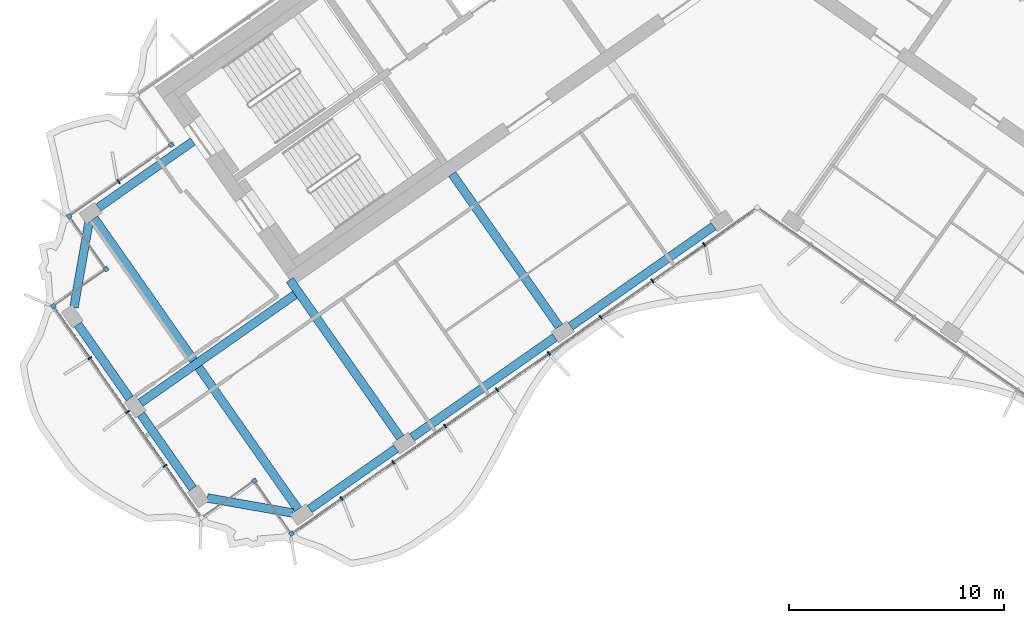
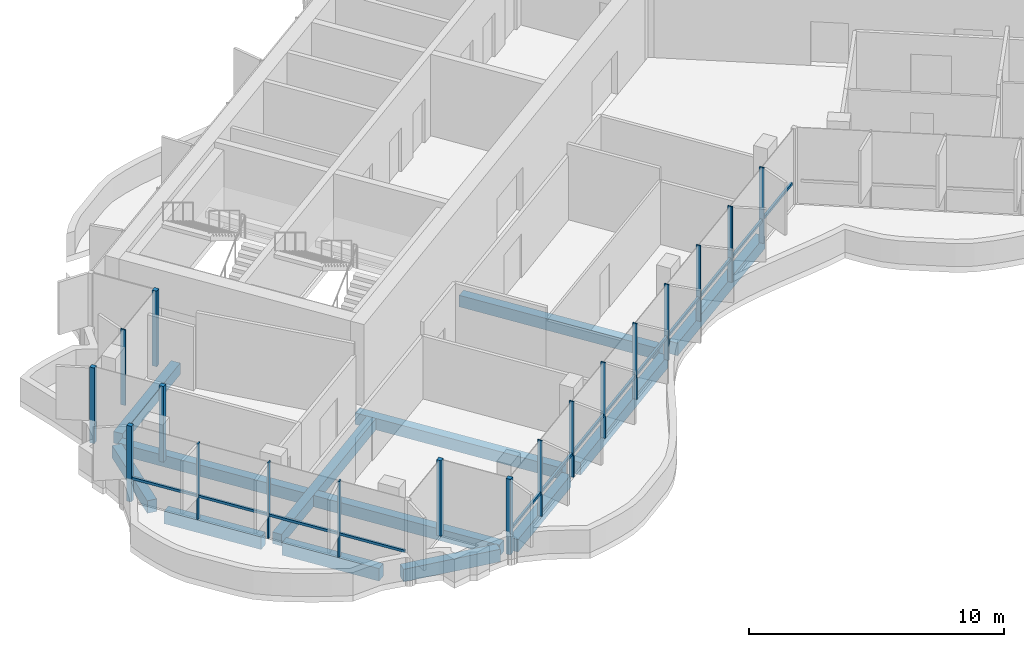
# One storey, part 2 of 20: 20 members, 12 beams, 2 elements without a shape of their own.
"""IFC4 building model written with IfcOpenShell, lengths in metres."""

from ifc_helpers import new_model, si_unit, direction, frame, origin, origin_2d, place, context, subcontext, project, spatial, rectangle, extrude, material, material_profile, profile_set, type_object, element, aggregate, save


model = new_model("IFC4")

# Units and contexts
model_context = context("Model", 3, precision=1e-05, world=origin(), true_north=direction((0.0, 1.0)))
body_context = subcontext(model_context, "Body", "Model", "MODEL_VIEW")
ifc_project = project(units=[si_unit("LENGTHUNIT", "METRE"), si_unit("AREAUNIT", "SQUARE_METRE"), si_unit("VOLUMEUNIT", "CUBIC_METRE"), si_unit("PLANEANGLEUNIT", "RADIAN"), si_unit("MASSUNIT", "GRAM", prefix="KILO")], contexts=[model_context])

# Site, building, storey
site_placement = place(None, origin())
site = spatial("IfcSite", under=ifc_project, at=site_placement, CompositionType="ELEMENT")
building_placement = place(site_placement, origin())
building = spatial("IfcBuilding", under=site, at=building_placement, Name="Tel Ilan Convention Tower", CompositionType="ELEMENT")
storey_placement = place(building_placement, frame((0.0, 0.0, 244.89990234375)))
storey = spatial("IfcBuildingStorey", under=building, at=storey_placement, Name="L57", CompositionType="ELEMENT", Elevation=244.89990234375)

# Beams
ifc_material_1 = material(Name="Concrete C40/50", Category="concrete")
ifc_material_profile_1 = material_profile(ifc_material_1, rectangle(XDim=0.39990234375, YDim=0.550048828125, at=origin_2d()), Name="RC 400x550")
ifc_profile_set_1 = profile_set([ifc_material_profile_1], Name="Concrete C40/50")
beam_type_1 = type_object("IfcBeamType", Name="Beam RC 400x550 Concrete C40/50", PredefinedType="BEAM", material=ifc_profile_set_1)
beam_1_placement = place(storey_placement, frame((-30.6005859375, -12.6982421875, -0.554931640625), z_axis=(0.819146154531, 0.573584847705, 0.0), x_axis=(-0.573584847705, 0.819146154531, 0.0)))
element("IfcBeam", 1, at=beam_1_placement, inside=storey, type_object=beam_type_1, Name="L57 beam W-W-BC-core", PredefinedType="BEAM", context=body_context, shape_type="SweptSolid", body=[
    extrude(rectangle(XDim=0.39990234375, YDim=0.550048828125, at=origin_2d()), origin(), (0.0, 0.0, 1.0), 5.349853515625),
])
beam_2_placement = place(storey_placement, frame((-9.209716796875, -18.229248046875, -0.554931640625), z_axis=(-0.573574099654, 0.819153680457, 0.0), x_axis=(-0.819153680457, -0.573574099654, 0.0)))
element("IfcBeam", 2, at=beam_2_placement, inside=storey, type_object=beam_type_1, Name="L57 beam W-W-F2-core", PredefinedType="BEAM", context=body_context, shape_type="SweptSolid", body=[
    extrude(rectangle(XDim=0.39990234375, YDim=0.550048828125, at=origin_2d()), origin(), (0.0, 0.0, 1.0), 8.64990234375),
])
beam_3_placement = place(storey_placement, frame((-16.58203125, -23.391357421875, -0.554931640625), z_axis=(-0.573584999642, 0.819146048141, 0.0), x_axis=(-0.819146048141, -0.573584999642, 0.0)))
element("IfcBeam", 3, at=beam_3_placement, inside=storey, type_object=beam_type_1, Name="L57 beam W-W-F3-core", PredefinedType="BEAM", context=body_context, shape_type="SweptSolid", body=[
    extrude(rectangle(XDim=0.39990234375, YDim=0.550048828125, at=origin_2d()), origin(), (0.0, 0.0, 1.0), 8.949951171875),
])
beam_4_placement = place(storey_placement, frame((-21.477783203125, -16.748046875, -0.554931640625), z_axis=(-0.819157197737, -0.573569076395, 0.0), x_axis=(0.573569076395, -0.819157197737, 0.0)))
element("IfcBeam", 4, at=beam_4_placement, inside=storey, type_object=beam_type_1, Name="L57 beam W-core-end", PredefinedType="BEAM", context=body_context, shape_type="SweptSolid", body=[
    extrude(rectangle(XDim=0.39990234375, YDim=0.550048828125, at=origin_2d()), origin(), (0.0, 0.0, 1.0), 8.75),
])
beam_5_placement = place(storey_placement, frame((-21.333251953125, -26.718017578125, -0.554931640625), z_axis=(-0.573574554643, 0.819153361872, 0.0), x_axis=(-0.819153361872, -0.573574554643, 0.0)))
element("IfcBeam", 5, at=beam_5_placement, inside=storey, type_object=beam_type_1, Name="L57 beam W-W-FC-W-BC", PredefinedType="BEAM", context=body_context, shape_type="SweptSolid", body=[
    extrude(rectangle(XDim=0.39990234375, YDim=0.550048828125, at=origin_2d()), origin(), (0.0, 0.0, 1.0), 16.499755859375),
])
ifc_material_2 = material(Name="Concrete C40/50", Category="concrete")
ifc_material_profile_2 = material_profile(ifc_material_2, rectangle(XDim=0.39990234375, YDim=0.60009765625, at=origin_2d()), Name="RC 400x600")
ifc_profile_set_2 = profile_set([ifc_material_profile_2], Name="Concrete C40/50")
beam_type_2 = type_object("IfcBeamType", Name="Beam RC 400x600 Concrete C40/50", PredefinedType="BEAM", material=ifc_profile_set_2)
beam_6_placement = place(storey_placement, frame((-2.033935546875, -13.57080078125, -0.579833984375), z_axis=(-0.81914553362, -0.573585734437, 0.0), x_axis=(0.573585734437, -0.81914553362, 0.0)))
element("IfcBeam", 6, at=beam_6_placement, inside=storey, type_object=beam_type_2, Name="L57 beam W-W-F1-W-F2", PredefinedType="BEAM", context=body_context, shape_type="SweptSolid", body=[
    extrude(rectangle(XDim=0.39990234375, YDim=0.60009765625, at=origin_2d()), origin(), (0.0, 0.0, 1.0), 8.099853515625),
])
beam_7_placement = place(storey_placement, frame((-9.40625, -18.73291015625, -0.579833984375), z_axis=(-0.819155449703, -0.573571572885, 0.0), x_axis=(0.573571572885, -0.819155449703, 0.0)))
element("IfcBeam", 7, at=beam_7_placement, inside=storey, type_object=beam_type_2, Name="L57 beam W-W-F2-W-F3", PredefinedType="BEAM", context=body_context, shape_type="SweptSolid", body=[
    extrude(rectangle(XDim=0.39990234375, YDim=0.60009765625, at=origin_2d()), origin(), (0.0, 0.0, 1.0), 8.10009765625),
])
beam_8_placement = place(storey_placement, frame((-16.778564453125, -23.895263671875, -0.579833984375), z_axis=(-0.819154669329, -0.573572687386, 0.0), x_axis=(0.573572687386, -0.819154669329, 0.0)))
element("IfcBeam", 8, at=beam_8_placement, inside=storey, type_object=beam_type_2, Name="L57 beam W-W-F3-W-FC", PredefinedType="BEAM", context=body_context, shape_type="SweptSolid", body=[
    extrude(rectangle(XDim=0.39990234375, YDim=0.60009765625, at=origin_2d()), origin(), (0.0, 0.0, 1.0), 4.900146484375),
])
beam_9_placement = place(storey_placement, frame((-21.578857421875, -26.89013671875, -0.579833984375), z_axis=(-0.984804894423, 0.173664388751, 0.0), x_axis=(-0.173664388751, -0.984804894423, 0.0)))
element("IfcBeam", 9, at=beam_9_placement, inside=storey, type_object=beam_type_2, Name="L57 beam W-W-FC-W-E1", PredefinedType="BEAM", context=body_context, shape_type="SweptSolid", body=[
    extrude(rectangle(XDim=0.39990234375, YDim=0.60009765625, at=origin_2d()), origin(), (0.0, 0.0, 1.0), 4.030517578125),
])
for number, where, z_axis, x_axis, name in (
    (10, (-26.22412109375, -25.748046875, -0.579833984375), (-0.573563773994, 0.819160910421, 0.0), (-0.819160910421, -0.573563773994, 0.0), "L57 beam W-W-E1-W-E2"),
    (11, (-29.1494140625, -21.5703125, -0.579833984375), (-0.573563773994, 0.819160910421, 0.0), (-0.819160910421, -0.573563773994, 0.0), "L57 beam W-W-E2-W-E3"),
):
    element("IfcBeam", number, at=place(storey_placement, frame(where, z_axis=z_axis, x_axis=x_axis)), inside=storey, type_object=beam_type_2, Name=name, PredefinedType="BEAM", context=body_context, shape_type="SweptSolid", body=[
        extrude(rectangle(XDim=0.39990234375, YDim=0.60009765625, at=origin_2d()), origin(), (0.0, 0.0, 1.0), 4.199951171875),
    ])
beam_10_placement = place(storey_placement, frame((-31.742919921875, -17.343505859375, -0.579833984375), z_axis=(0.173664388751, 0.984804894423, 0.0), x_axis=(-0.984804894423, 0.173664388751, 0.0)))
element("IfcBeam", 12, at=beam_10_placement, inside=storey, type_object=beam_type_2, Name="L57 beam W-W-E3-W-BC", PredefinedType="BEAM", context=body_context, shape_type="SweptSolid", body=[
    extrude(rectangle(XDim=0.39990234375, YDim=0.60009765625, at=origin_2d()), origin(), (0.0, 0.0, 1.0), 4.030517578125),
])

# Curtain wall, member
ifc_material_3 = material(Name="Aluminium, bronze anodised", Category="aluminium")
curtain_wall_type_1 = type_object("IfcCurtainWallType", Name="CW2 STICK CURTAIN WALL, SPANDREL PANELS", PredefinedType="NOTDEFINED", material=ifc_material_3)
curtain_wall_1_placement = place(storey_placement, origin())
curtain_wall_1 = element("IfcCurtainWall", 13, at=curtain_wall_1_placement, inside=storey, type_object=curtain_wall_type_1, Name="Curtain wall CW2-44.01", PredefinedType="NOTDEFINED")
ifc_material_4 = material(Name="Aluminium, bronze anodised", Category="aluminium")
ifc_material_profile_3 = material_profile(ifc_material_4, rectangle(XDim=0.199951171875, YDim=0.199951171875, at=origin_2d()), Name="CW CORNER MULLION 200x200")
ifc_profile_set_3 = profile_set([ifc_material_profile_3], Name="Aluminium, bronze anodised")
member_type_1 = type_object("IfcMemberType", Name="CW CORNER MULLION 200x200", PredefinedType="MULLION", material=ifc_profile_set_3)
member_1_placement = place(storey_placement, frame((-27.213623046875, -9.77734375, 0.0), z_axis=(0.0, 0.0, 1.0), x_axis=(0.573576436351, -0.819152044289, 0.0)))
member_1 = element("IfcMember", 14, at=member_1_placement, type_object=member_type_1, Name="Corner mullion", PredefinedType="MULLION", context=body_context, shape_type="SweptSolid", body=[
    extrude(rectangle(XDim=0.199951171875, YDim=0.199951171875, at=origin_2d()), origin(), (0.0, 0.0, 1.0), 3.6201171875),
])
aggregate(curtain_wall_1, [member_1])

# Curtain wall, members
ifc_material_5 = material(Name="Aluminium, bronze anodised", Category="aluminium")
curtain_wall_type_2 = type_object("IfcCurtainWallType", Name="CW5 STICK CURTAIN WALL, UPPER OFFICE LOW-IRON TINTED GLASS", PredefinedType="NOTDEFINED", material=ifc_material_5)
curtain_wall_2_placement = place(storey_placement, origin())
curtain_wall_2 = element("IfcCurtainWall", 15, at=curtain_wall_2_placement, inside=storey, type_object=curtain_wall_type_2, Name="Curtain wall CW5-44.02", PredefinedType="NOTDEFINED")
member_2_placement = place(storey_placement, frame((-31.964599609375, -13.10400390625, 0.0), z_axis=(0.0, 0.0, 1.0), x_axis=(-0.819152044289, -0.573576436351, 0.0)))
member_2 = element("IfcMember", 16, at=member_2_placement, type_object=member_type_1, Name="Corner mullion", PredefinedType="MULLION", context=body_context, shape_type="SweptSolid", body=[
    extrude(rectangle(XDim=0.199951171875, YDim=0.199951171875, at=origin_2d()), origin(), (0.0, 0.0, 1.0), 3.6201171875),
])
member_3_placement = place(storey_placement, frame((-30.243896484375, -15.5615234375, 0.0), z_axis=(0.0, 0.0, 1.0), x_axis=(0.573576436351, -0.819152044289, 0.0)))
member_3 = element("IfcMember", 17, at=member_3_placement, type_object=member_type_1, Name="Corner mullion", PredefinedType="MULLION", context=body_context, shape_type="SweptSolid", body=[
    extrude(rectangle(XDim=0.199951171875, YDim=0.199951171875, at=origin_2d()), origin(), (0.0, 0.0, 1.0), 3.6201171875),
])
member_4_placement = place(storey_placement, frame((-32.701416015625, -17.2822265625, 0.0), z_axis=(0.0, 0.0, 1.0), x_axis=(-0.819152044289, -0.573576436351, 0.0)))
member_4 = element("IfcMember", 18, at=member_4_placement, type_object=member_type_1, Name="Corner mullion", PredefinedType="MULLION", context=body_context, shape_type="SweptSolid", body=[
    extrude(rectangle(XDim=0.199951171875, YDim=0.199951171875, at=origin_2d()), origin(), (0.0, 0.0, 1.0), 3.6201171875),
])
member_5_placement = place(storey_placement, frame((-23.36083984375, -25.391357421875, 0.0), z_axis=(0.0, 0.0, 1.0), x_axis=(0.819152044289, 0.573576436351, 0.0)))
member_5 = element("IfcMember", 19, at=member_5_placement, type_object=member_type_1, Name="Corner mullion", PredefinedType="MULLION", context=body_context, shape_type="SweptSolid", body=[
    extrude(rectangle(XDim=0.199951171875, YDim=0.199951171875, at=origin_2d()), origin(), (0.0, 0.0, 1.0), 3.6201171875),
])
member_6_placement = place(storey_placement, frame((-21.64013671875, -27.8486328125, 0.0), z_axis=(0.0, 0.0, 1.0), x_axis=(0.573576436351, -0.819152044289, 0.0)))
member_6 = element("IfcMember", 20, at=member_6_placement, type_object=member_type_1, Name="Corner mullion", PredefinedType="MULLION", context=body_context, shape_type="SweptSolid", body=[
    extrude(rectangle(XDim=0.199951171875, YDim=0.199951171875, at=origin_2d()), origin(), (0.0, 0.0, 1.0), 3.6201171875),
])
ifc_material_6 = material(Name="Aluminium, bronze anodised", Category="aluminium")
ifc_material_profile_4 = material_profile(ifc_material_6, rectangle(XDim=0.06005859375, YDim=0.199951171875, at=origin_2d()), Name="CW MULLION 60x200")
ifc_profile_set_4 = profile_set([ifc_material_profile_4], Name="Aluminium, bronze anodised")
member_type_2 = type_object("IfcMemberType", Name="CW MULLION 60x200", PredefinedType="MULLION", material=ifc_profile_set_4)
member_7_placement = place(storey_placement, frame((-29.6708984375, -11.498046875, 0.0), z_axis=(0.0, 0.0, 1.0), x_axis=(-0.819152044289, -0.573576436351, 0.0)))
member_7 = element("IfcMember", 21, at=member_7_placement, type_object=member_type_2, Name="Mullion", PredefinedType="MULLION", context=body_context, shape_type="SweptSolid", body=[
    extrude(rectangle(XDim=0.06005859375, YDim=0.199951171875, at=origin_2d()), origin(), (0.0, 0.0, 1.0), 3.6201171875),
])
member_8_placement = place(storey_placement, frame((-31.00927734375, -19.69873046875, 0.0), z_axis=(0.0, 0.0, 1.0), x_axis=(0.573576436351, -0.819152044289, 0.0)))
member_8 = element("IfcMember", 22, at=member_8_placement, type_object=member_type_2, Name="Mullion", PredefinedType="MULLION", context=body_context, shape_type="SweptSolid", body=[
    extrude(rectangle(XDim=0.06005859375, YDim=0.199951171875, at=origin_2d()), origin(), (0.0, 0.0, 1.0), 3.6201171875),
])
member_9_placement = place(storey_placement, frame((-29.259765625, -22.197021484375, 0.0), z_axis=(0.0, 0.0, 1.0), x_axis=(0.573576436351, -0.819152044289, 0.0)))
member_9 = element("IfcMember", 23, at=member_9_placement, type_object=member_type_2, Name="Mullion", PredefinedType="MULLION", context=body_context, shape_type="SweptSolid", body=[
    extrude(rectangle(XDim=0.06005859375, YDim=0.199951171875, at=origin_2d()), origin(), (0.0, 0.0, 1.0), 3.6201171875),
])
member_10_placement = place(storey_placement, frame((-27.510498046875, -24.695556640625, 0.0), z_axis=(0.0, 0.0, 1.0), x_axis=(0.573576436351, -0.819152044289, 0.0)))
member_10 = element("IfcMember", 24, at=member_10_placement, type_object=member_type_2, Name="Mullion", PredefinedType="MULLION", context=body_context, shape_type="SweptSolid", body=[
    extrude(rectangle(XDim=0.06005859375, YDim=0.199951171875, at=origin_2d()), origin(), (0.0, 0.0, 1.0), 3.6201171875),
])
member_11_placement = place(storey_placement, frame((-19.31494140625, -26.220458984375, 0.0), z_axis=(0.0, 0.0, 1.0), x_axis=(0.819152044289, 0.573576436351, 0.0)))
member_11 = element("IfcMember", 25, at=member_11_placement, type_object=member_type_2, Name="Mullion", PredefinedType="MULLION", context=body_context, shape_type="SweptSolid", body=[
    extrude(rectangle(XDim=0.06005859375, YDim=0.199951171875, at=origin_2d()), origin(), (0.0, 0.0, 1.0), 3.6201171875),
])
member_12_placement = place(storey_placement, frame((-16.90771484375, -24.534912109375, 0.0), z_axis=(0.0, 0.0, 1.0), x_axis=(0.819152044289, 0.573576436351, 0.0)))
member_12 = element("IfcMember", 26, at=member_12_placement, type_object=member_type_2, Name="Mullion", PredefinedType="MULLION", context=body_context, shape_type="SweptSolid", body=[
    extrude(rectangle(XDim=0.06005859375, YDim=0.199951171875, at=origin_2d()), origin(), (0.0, 0.0, 1.0), 3.6201171875),
])
member_13_placement = place(storey_placement, frame((-14.50048828125, -22.849365234375, 0.0), z_axis=(0.0, 0.0, 1.0), x_axis=(0.819152044289, 0.573576436351, 0.0)))
member_13 = element("IfcMember", 27, at=member_13_placement, type_object=member_type_2, Name="Mullion", PredefinedType="MULLION", context=body_context, shape_type="SweptSolid", body=[
    extrude(rectangle(XDim=0.06005859375, YDim=0.199951171875, at=origin_2d()), origin(), (0.0, 0.0, 1.0), 3.6201171875),
])
member_14_placement = place(storey_placement, frame((-12.09326171875, -21.163818359375, 0.0), z_axis=(0.0, 0.0, 1.0), x_axis=(0.819152044289, 0.573576436351, 0.0)))
member_14 = element("IfcMember", 28, at=member_14_placement, type_object=member_type_2, Name="Mullion", PredefinedType="MULLION", context=body_context, shape_type="SweptSolid", body=[
    extrude(rectangle(XDim=0.06005859375, YDim=0.199951171875, at=origin_2d()), origin(), (0.0, 0.0, 1.0), 3.6201171875),
])
member_15_placement = place(storey_placement, frame((-9.68603515625, -19.478271484375, 0.0), z_axis=(0.0, 0.0, 1.0), x_axis=(0.819152044289, 0.573576436351, 0.0)))
member_15 = element("IfcMember", 29, at=member_15_placement, type_object=member_type_2, Name="Mullion", PredefinedType="MULLION", context=body_context, shape_type="SweptSolid", body=[
    extrude(rectangle(XDim=0.06005859375, YDim=0.199951171875, at=origin_2d()), origin(), (0.0, 0.0, 1.0), 3.6201171875),
])
member_16_placement = place(storey_placement, frame((-7.279052734375, -17.792724609375, 0.0), z_axis=(0.0, 0.0, 1.0), x_axis=(0.819152044289, 0.573576436351, 0.0)))
member_16 = element("IfcMember", 30, at=member_16_placement, type_object=member_type_2, Name="Mullion", PredefinedType="MULLION", context=body_context, shape_type="SweptSolid", body=[
    extrude(rectangle(XDim=0.06005859375, YDim=0.199951171875, at=origin_2d()), origin(), (0.0, 0.0, 1.0), 3.6201171875),
])
member_17_placement = place(storey_placement, frame((-4.871826171875, -16.107177734375, 0.0), z_axis=(0.0, 0.0, 1.0), x_axis=(0.819152044289, 0.573576436351, 0.0)))
member_17 = element("IfcMember", 31, at=member_17_placement, type_object=member_type_2, Name="Mullion", PredefinedType="MULLION", context=body_context, shape_type="SweptSolid", body=[
    extrude(rectangle(XDim=0.06005859375, YDim=0.199951171875, at=origin_2d()), origin(), (0.0, 0.0, 1.0), 3.6201171875),
])
member_18_placement = place(storey_placement, frame((-2.464599609375, -14.421875, 0.0), z_axis=(0.0, 0.0, 1.0), x_axis=(0.819152044289, 0.573576436351, 0.0)))
member_18 = element("IfcMember", 32, at=member_18_placement, type_object=member_type_2, Name="Mullion", PredefinedType="MULLION", context=body_context, shape_type="SweptSolid", body=[
    extrude(rectangle(XDim=0.06005859375, YDim=0.199951171875, at=origin_2d()), origin(), (0.0, 0.0, 1.0), 3.6201171875),
])
ifc_material_7 = material(Name="Aluminium, bronze anodised", Category="aluminium")
ifc_material_profile_5 = material_profile(ifc_material_7, rectangle(XDim=0.10009765625, YDim=0.1201171875, at=origin_2d()), Name="CW TRANSOM 100x120")
ifc_profile_set_5 = profile_set([ifc_material_profile_5], Name="Aluminium, bronze anodised")
member_type_3 = type_object("IfcMemberType", Name="CW TRANSOM 100x120", PredefinedType="USERDEFINED", material=ifc_profile_set_5)
member_19_placement = place(storey_placement, frame((-32.64404296875, -17.364013671875, 1.10009765625), z_axis=(0.573581755582, -0.819148319698, 0.0), x_axis=(0.819148319698, 0.573581755582, 0.0)))
member_19 = element("IfcMember", 33, at=member_19_placement, type_object=member_type_3, Name="Transom", ObjectType="TRANSOM", PredefinedType="USERDEFINED", context=body_context, shape_type="SweptSolid", body=[
    extrude(rectangle(XDim=0.10009765625, YDim=0.1201171875, at=origin_2d()), origin(), (0.0, 0.0, 1.0), 11.800048828125),
])
member_20_placement = place(storey_placement, frame((-21.558349609375, -27.791259765625, 1.10009765625), z_axis=(0.819152212587, 0.573576195996, 0.0), x_axis=(-0.573576195996, 0.819152212587, 0.0)))
member_20 = element("IfcMember", 34, at=member_20_placement, type_object=member_type_3, Name="Transom", ObjectType="TRANSOM", PredefinedType="USERDEFINED", context=body_context, shape_type="SweptSolid", body=[
    extrude(rectangle(XDim=0.10009765625, YDim=0.1201171875, at=origin_2d()), origin(), (0.0, 0.0, 1.0), 26.0478515625),
])
aggregate(curtain_wall_2, [member_7, member_2, member_3, member_4, member_8, member_9, member_10, member_19, member_5, member_6, member_11, member_12, member_13, member_14, member_15, member_16, member_17, member_18, member_20])

save(model, "model.ifc")
